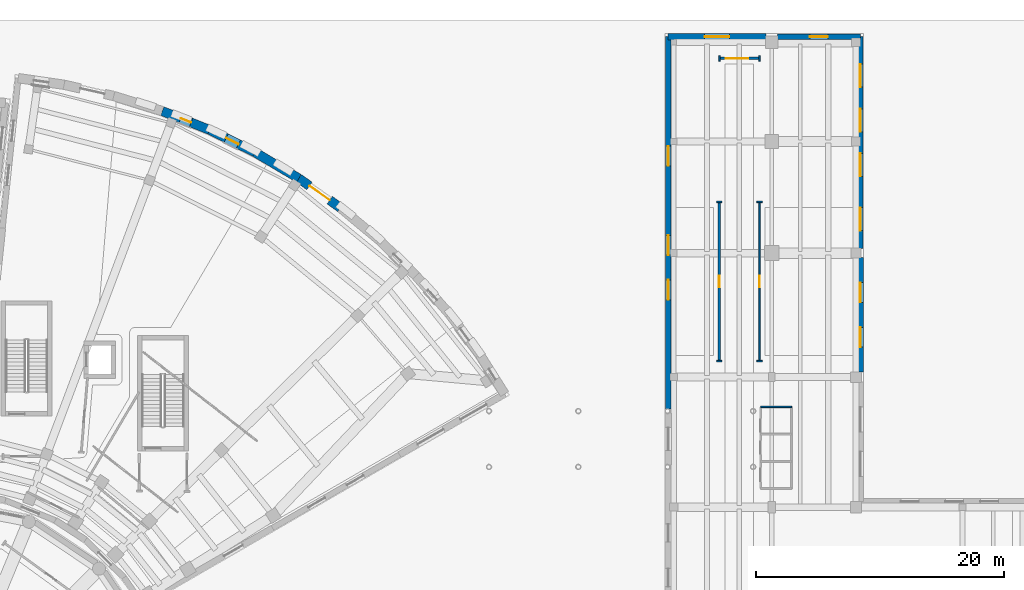
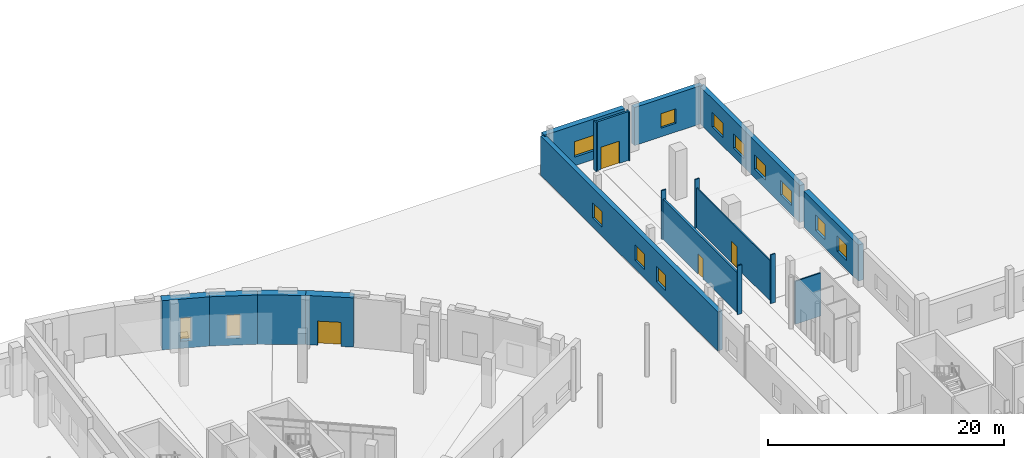
# One storey, part 53 of 74: 19 walls, 13 windows, 4 doors, 17 openings.
"""IFC4 building model written with IfcOpenShell, lengths in metres."""

from ifc_helpers import new_model, si_unit, direction, frame, frame_2d, origin, place, context, subcontext, project, spatial, rectangle, extrude, material, layer, layer_set, type_object, element, fill, save


model = new_model("IFC4")

# Units and contexts
model_context = context("Model", 3, precision=1e-05, world=origin(), true_north=direction((0.0, 1.0)))
body_context = subcontext(model_context, "Body", "Model", "MODEL_VIEW")
ifc_project = project(units=[si_unit("LENGTHUNIT", "METRE"), si_unit("AREAUNIT", "SQUARE_METRE"), si_unit("VOLUMEUNIT", "CUBIC_METRE"), si_unit("PLANEANGLEUNIT", "RADIAN"), si_unit("MASSUNIT", "GRAM", prefix="KILO")], contexts=[model_context])

# Site, building, storey
site_placement = place(None, origin())
site = spatial("IfcSite", under=ifc_project, at=site_placement, CompositionType="ELEMENT")
building_placement = place(site_placement, origin())
building = spatial("IfcBuilding", under=site, at=building_placement, Name="Soyqirgoq Riverine Aquarium", CompositionType="ELEMENT")
storey_placement = place(building_placement, origin())
storey = spatial("IfcBuildingStorey", under=building, at=storey_placement, Name="L01", CompositionType="ELEMENT", Elevation=0.0)

# Wall, opening, door
ifc_material_1 = material(Name="Lightweight steel-stud gypsum partition", Category="steel")
ifc_layer_1 = layer(ifc_material_1, 0.1201171875)
ifc_layer_set_1 = layer_set([ifc_layer_1], Name="Lightweight steel-stud gypsum partition")
wall_type_1 = type_object("IfcWallType", Name="PartitionWall_120_Std", PredefinedType="PARTITIONING", material=ifc_layer_set_1)
wall_1_placement = place(storey_placement, frame((121.6298828125, 98.919921875, 0.0), z_axis=(0.0, 0.0, 1.0), x_axis=(0.0, -1.0, 0.0)))
wall_1 = element("IfcWall", 1, at=wall_1_placement, inside=storey, type_object=wall_type_1, Name="Husbandry Preparation Room Partition Wall", PredefinedType="PARTITIONING", context=body_context, shape_type="SweptSolid", body=[
    extrude(rectangle(XDim=12.83984375, YDim=0.1201171875, at=frame_2d((6.419921875, 0.0))), origin(), (0.0, 0.0, 1.0), 4.139892578125),
])
opening_1_placement = place(wall_1_placement, frame((5.945068359375, 0.0, 0.0)))
opening_1 = element("IfcOpeningElement", 2, at=opening_1_placement, cuts=wall_1, Name="Opening ID-06", PredefinedType="OPENING", context=body_context, shape_type="SweptSolid", body=[
    extrude(rectangle(XDim=0.949951171875, YDim=2.199951171875, at=frame_2d((0.47509765625, 1.10009765625))), frame((0.0, 0.070068359375, 0.0), z_axis=(0.0, -1.0, 0.0), x_axis=(1.0, 0.0, 0.0)), (0.0, 0.0, 1.0), 0.14013671875),
])
ifc_material_2 = material(Name="Moisture-resistant HPL washroom door", Category="wood")
door_type_1 = type_object("IfcDoorType", Name="WCDoor_950x2200", OperationType="NOTDEFINED", PredefinedType="DOOR", material=ifc_material_2)
door_1_placement = place(opening_1_placement, origin())
door_1 = element("IfcDoor", 3, at=door_1_placement, inside=storey, type_object=door_type_1, Name="IDR-V7-L01-0222 Husbandry Preparation Room Access Door", OperationType="SINGLE_SWING_LEFT", OverallHeight=2.199951171875, OverallWidth=0.949951171875, PredefinedType="DOOR", context=body_context, shape_type="SweptSolid", body=[
    extrude(rectangle(XDim=0.949951171875, YDim=2.199951171875, at=frame_2d((0.47509765625, 1.10009765625))), frame((0.0, 0.02490234375, 0.0), z_axis=(0.0, -1.0, 0.0), x_axis=(1.0, 0.0, 0.0)), (0.0, 0.0, 1.0), 0.050048828125),
])
fill(opening_1, door_1)

# Walls
for number, where, z_axis, x_axis, name in (
    (4, (121.60009765625, 110.719970703125, 0.0), (0.0, 0.0, 1.0), (0.0, -1.0, 0.0), "V7 L01 Jamb Return Pier"),
    (5, (118.39990234375, 110.719970703125, 0.0), (0.0, 0.0, 1.0), (0.0, -1.0, 0.0), "V7 L01 Jamb Return Pier"),
):
    element("IfcWall", number, at=place(storey_placement, frame(where, z_axis=z_axis, x_axis=x_axis)), inside=storey, type_object=wall_type_1, Name=name, PredefinedType="PARTITIONING", context=body_context, shape_type="SweptSolid", body=[
        extrude(rectangle(XDim=0.43994140625, YDim=0.1201171875, at=frame_2d((0.219970703125, 0.0))), origin(), (0.0, 0.0, 1.0), 5.050048828125),
    ])
for number, where, z_axis, x_axis, name in (
    (6, (118.590087890625, 86.080078125, 0.0), (0.0, 0.0, 1.0), (-1.0, 0.0, 0.0), "V7 L01 Jamb Return Pier"),
    (7, (118.590087890625, 98.919921875, 0.0), (0.0, 0.0, 1.0), (-1.0, 0.0, 0.0), "V7 L01 Jamb Return Pier"),
    (8, (121.409912109375, 98.919921875, 0.0), (0.0, 0.0, 1.0), (1.0, 0.0, 0.0), "V7 L01 Jamb Return Pier"),
    (9, (121.409912109375, 86.080078125, 0.0), (0.0, 0.0, 1.0), (1.0, 0.0, 0.0), "V7 L01 Jamb Return Pier"),
):
    element("IfcWall", number, at=place(storey_placement, frame(where, z_axis=z_axis, x_axis=x_axis)), inside=storey, type_object=wall_type_1, Name=name, PredefinedType="PARTITIONING", context=body_context, shape_type="SweptSolid", body=[
        extrude(rectangle(XDim=0.440185546875, YDim=0.1201171875, at=frame_2d((0.22021484375, 0.0))), origin(), (0.0, 0.0, 1.0), 5.050048828125),
    ])
ifc_material_3 = material(Name="Moisture-resistant cement-board wet-room partition", Category="gypsum")
ifc_layer_2 = layer(ifc_material_3, 0.125)
ifc_layer_set_2 = layer_set([ifc_layer_2], Name="Moisture-resistant cement-board wet-room partition")
wall_type_2 = type_object("IfcWallType", Name="PartitionWall_125_Wet", PredefinedType="PARTITIONING", material=ifc_layer_set_2)
wall_2_placement = place(storey_placement, frame((121.699951171875, 82.39990234375, 0.0), z_axis=(0.0, 0.0, 1.0), x_axis=(1.0, 0.0, 0.0)))
element("IfcWall", 10, at=wall_2_placement, inside=storey, type_object=wall_type_2, Name="V7 L01 WC Suite North Wall", PredefinedType="PARTITIONING", context=body_context, shape_type="SweptSolid", body=[
    extrude(rectangle(XDim=2.5, YDim=0.125, at=frame_2d((1.25, 0.0))), origin(), (0.0, 0.0, 1.0), 4.449951171875),
])

# Wall, opening, door
ifc_material_4 = material(Name="Fire-rated calcium silicate twin-stud partition", Category="gypsum")
ifc_layer_3 = layer(ifc_material_4, 0.199951171875)
ifc_layer_set_3 = layer_set([ifc_layer_3], Name="Fire-rated calcium silicate twin-stud partition")
wall_type_3 = type_object("IfcWallType", Name="PartitionWall_200_EI90", PredefinedType="PARTITIONING", material=ifc_layer_set_3)
wall_3_placement = place(storey_placement, frame((121.60009765625, 110.5, 0.0), z_axis=(0.0, 0.0, 1.0), x_axis=(-1.0, 0.0, 0.0)))
wall_3 = element("IfcWall", 11, at=wall_3_placement, inside=storey, type_object=wall_type_3, Name="Life Support Service Corridor Partition Wall", PredefinedType="PARTITIONING", context=body_context, shape_type="SweptSolid", body=[
    extrude(rectangle(XDim=3.2001953125, YDim=0.199951171875, at=frame_2d((1.60009765625, 0.0))), origin(), (0.0, 0.0, 1.0), 5.050048828125),
])
opening_2_placement = place(wall_3_placement, frame((0.909912109375, 0.0, 0.0)))
opening_2 = element("IfcOpeningElement", 12, at=opening_2_placement, cuts=wall_3, Name="Opening PD-01", PredefinedType="OPENING", context=body_context, shape_type="SweptSolid", body=[
    extrude(rectangle(XDim=1.800048828125, YDim=2.300048828125, at=frame_2d((0.89990234375, 1.14990234375))), frame((0.0, 0.10986328125, 0.0), z_axis=(0.0, -1.0, 0.0), x_axis=(1.0, 0.0, 0.0)), (0.0, 0.0, 1.0), 0.219970703125),
])
ifc_material_5 = material(Name="Louvred acoustic steel fire door", Category="steel")
door_type_2 = type_object("IfcDoorType", Name="PlantDoubleDoor_1800x2300_EI90", OperationType="DOUBLE_DOOR_SINGLE_SWING", PredefinedType="DOOR", material=ifc_material_5)
door_2_placement = place(opening_2_placement, origin())
door_2 = element("IfcDoor", 13, at=door_2_placement, inside=storey, type_object=door_type_2, Name="IDR-V7-L01-0217 Quarantine Reception Suite Door", OperationType="DOUBLE_DOOR_SINGLE_SWING", OverallHeight=2.300048828125, OverallWidth=1.800048828125, PredefinedType="DOOR", context=body_context, shape_type="SweptSolid", body=[
    extrude(rectangle(XDim=1.800048828125, YDim=2.300048828125, at=frame_2d((0.89990234375, 1.14990234375))), frame((0.0, 0.02490234375, 0.0), z_axis=(0.0, -1.0, 0.0), x_axis=(1.0, 0.0, 0.0)), (0.0, 0.0, 1.0), 0.050048828125),
])
fill(opening_2, door_2)

wall_4_placement = place(storey_placement, frame((118.3701171875, 86.080078125, 0.0), z_axis=(0.0, 0.0, 1.0), x_axis=(0.0, 1.0, 0.0)))
wall_4 = element("IfcWall", 14, at=wall_4_placement, inside=storey, type_object=wall_type_3, Name="Life Support Plant Partition Wall", PredefinedType="PARTITIONING", context=body_context, shape_type="SweptSolid", body=[
    extrude(rectangle(XDim=12.83984375, YDim=0.199951171875, at=frame_2d((6.419921875, 0.0))), origin(), (0.0, 0.0, 1.0), 4.139892578125),
])
opening_3_placement = place(wall_4_placement, frame((5.969970703125, 0.0, 0.0)))
opening_3 = element("IfcOpeningElement", 15, at=opening_3_placement, cuts=wall_4, Name="Opening RD-01", PredefinedType="OPENING", context=body_context, shape_type="SweptSolid", body=[
    extrude(rectangle(XDim=0.89990234375, YDim=2.10009765625, at=frame_2d((0.449951171875, 1.050048828125))), frame((0.0, 0.10986328125, 0.0), z_axis=(0.0, -1.0, 0.0), x_axis=(1.0, 0.0, 0.0)), (0.0, 0.0, 1.0), 0.219970703125),
])
ifc_material_6 = material(Name="Flush steel service riser fire door", Category="steel")
door_type_3 = type_object("IfcDoorType", Name="RiserAccessDoor_900x2100_EI60", OperationType="NOTDEFINED", PredefinedType="DOOR", material=ifc_material_6)
door_3_placement = place(opening_3_placement, origin())
door_3 = element("IfcDoor", 16, at=door_3_placement, inside=storey, type_object=door_type_3, Name="IDR-V7-L01-0221 Life Support Plant Access Door", OperationType="SINGLE_SWING_RIGHT", OverallHeight=2.10009765625, OverallWidth=0.89990234375, PredefinedType="DOOR", context=body_context, shape_type="SweptSolid", body=[
    extrude(rectangle(XDim=0.89990234375, YDim=2.10009765625, at=frame_2d((0.449951171875, 1.050048828125))), frame((0.0, 0.02490234375, 0.0), z_axis=(0.0, -1.0, 0.0), x_axis=(1.0, 0.0, 0.0)), (0.0, 0.0, 1.0), 0.050048828125),
])
fill(opening_3, door_3)

# Wall, openings, windows
ifc_material_7 = material(Name="Honed travertine limestone cavity wall", Category="masonry")
ifc_layer_4 = layer(ifc_material_7, 0.449951171875)
ifc_layer_set_4 = layer_set([ifc_layer_4], Name="Honed travertine limestone cavity wall")
wall_type_4 = type_object("IfcWallType", Name="TravertineCavityWall_450", PredefinedType="SOLIDWALL", material=ifc_layer_set_4)
wall_5_placement = place(storey_placement, frame((114.25, 82.2158203125, 0.0), z_axis=(0.0, 0.0, 1.0), x_axis=(0.0, 1.0, 0.0)))
wall_5 = element("IfcWall", 17, at=wall_5_placement, inside=storey, type_object=wall_type_4, Name="V7 L01 Exterior Travertine Wall 0365", PredefinedType="SOLIDWALL", context=body_context, shape_type="SweptSolid", body=[
    extrude(rectangle(XDim=30.0341796875, YDim=0.449951171875, at=frame_2d((15.01708984375, 0.0))), origin(), (0.0, 0.0, 1.0), 4.0400390625),
])
opening_4_placement = place(wall_5_placement, frame((8.817138671875, 0.0, 0.89990234375)))
opening_4 = element("IfcOpeningElement", 18, at=opening_4_placement, cuts=wall_5, Name="Opening WN-06", PredefinedType="OPENING", context=body_context, shape_type="SweptSolid", body=[
    extrude(rectangle(XDim=1.60009765625, YDim=1.60009765625, at=frame_2d((0.800048828125, 0.800048828125))), frame((0.0, 0.23486328125, 0.0), z_axis=(0.0, -1.0, 0.0), x_axis=(1.0, 0.0, 0.0)), (0.0, 0.0, 1.0), 0.469970703125),
])
opening_5_placement = place(wall_5_placement, frame((12.4169921875, 0.0, 0.89990234375)))
opening_5 = element("IfcOpeningElement", 19, at=opening_5_placement, cuts=wall_5, Name="Opening WN-06", PredefinedType="OPENING", context=body_context, shape_type="SweptSolid", body=[
    extrude(rectangle(XDim=1.60009765625, YDim=1.60009765625, at=frame_2d((0.800048828125, 0.800048828125))), frame((0.0, 0.23486328125, 0.0), z_axis=(0.0, -1.0, 0.0), x_axis=(1.0, 0.0, 0.0)), (0.0, 0.0, 1.0), 0.469970703125),
])
opening_6_placement = place(wall_5_placement, frame((19.6171875, 0.0, 0.89990234375)))
opening_6 = element("IfcOpeningElement", 20, at=opening_6_placement, cuts=wall_5, Name="Opening WN-06", PredefinedType="OPENING", context=body_context, shape_type="SweptSolid", body=[
    extrude(rectangle(XDim=1.60009765625, YDim=1.60009765625, at=frame_2d((0.800048828125, 0.800048828125))), frame((0.0, 0.23486328125, 0.0), z_axis=(0.0, -1.0, 0.0), x_axis=(1.0, 0.0, 0.0)), (0.0, 0.0, 1.0), 0.469970703125),
])
ifc_material_8 = material(Name="Thermally broken aluminium triple low-E window", Category="aluminium")
window_type_1 = type_object("IfcWindowType", Name="Win_Lab_1600x1600", PartitioningType="DOUBLE_PANEL_VERTICAL", PredefinedType="WINDOW", material=ifc_material_8)
window_1_placement = place(opening_4_placement, origin())
window_1 = element("IfcWindow", 21, at=window_1_placement, inside=storey, type_object=window_type_1, Name="V7 L01 Facade Window 0308", OverallHeight=1.60009765625, OverallWidth=1.60009765625, PartitioningType="DOUBLE_PANEL_VERTICAL", PredefinedType="WINDOW", context=body_context, shape_type="SweptSolid", body=[
    extrude(rectangle(XDim=1.60009765625, YDim=1.60009765625, at=frame_2d((0.800048828125, 0.800048828125))), frame((0.0, 0.030029296875, 0.0), z_axis=(0.0, -1.0, 0.0), x_axis=(1.0, 0.0, 0.0)), (0.0, 0.0, 1.0), 0.06005859375),
])
fill(opening_4, window_1)
window_2_placement = place(opening_5_placement, origin())
window_2 = element("IfcWindow", 22, at=window_2_placement, inside=storey, type_object=window_type_1, Name="V7 L01 Facade Window 0309", OverallHeight=1.60009765625, OverallWidth=1.60009765625, PartitioningType="DOUBLE_PANEL_VERTICAL", PredefinedType="WINDOW", context=body_context, shape_type="SweptSolid", body=[
    extrude(rectangle(XDim=1.60009765625, YDim=1.60009765625, at=frame_2d((0.800048828125, 0.800048828125))), frame((0.0, 0.030029296875, 0.0), z_axis=(0.0, -1.0, 0.0), x_axis=(1.0, 0.0, 0.0)), (0.0, 0.0, 1.0), 0.06005859375),
])
fill(opening_5, window_2)
window_3_placement = place(opening_6_placement, origin())
window_3 = element("IfcWindow", 23, at=window_3_placement, inside=storey, type_object=window_type_1, Name="V7 L01 Facade Window 0310", OverallHeight=1.60009765625, OverallWidth=1.60009765625, PartitioningType="DOUBLE_PANEL_VERTICAL", PredefinedType="WINDOW", context=body_context, shape_type="SweptSolid", body=[
    extrude(rectangle(XDim=1.60009765625, YDim=1.60009765625, at=frame_2d((0.800048828125, 0.800048828125))), frame((0.0, 0.030029296875, 0.0), z_axis=(0.0, -1.0, 0.0), x_axis=(1.0, 0.0, 0.0)), (0.0, 0.0, 1.0), 0.06005859375),
])
fill(opening_6, window_3)

# Wall, opening, window
wall_6_placement = place(storey_placement, frame((123.070068359375, 112.25, 0.0), z_axis=(0.0, 0.0, 1.0), x_axis=(1.0, 0.0, 0.0)))
wall_6 = element("IfcWall", 24, at=wall_6_placement, inside=storey, type_object=wall_type_4, Name="V7 L01 Exterior Travertine Wall 0367", PredefinedType="SOLIDWALL", context=body_context, shape_type="SweptSolid", body=[
    extrude(rectangle(XDim=6.679931640625, YDim=0.449951171875, at=frame_2d((3.33984375, 0.0))), origin(), (0.0, 0.0, 1.0), 3.93994140625),
])
opening_7_placement = place(wall_6_placement, frame((2.614990234375, 0.0, 0.89990234375)))
opening_7 = element("IfcOpeningElement", 25, at=opening_7_placement, cuts=wall_6, Name="Opening WN-15", PredefinedType="OPENING", context=body_context, shape_type="SweptSolid", body=[
    extrude(rectangle(XDim=1.449951171875, YDim=1.5, at=frame_2d((0.72509765625, 0.75))), frame((0.0, 0.23486328125, 0.0), z_axis=(0.0, -1.0, 0.0), x_axis=(1.0, 0.0, 0.0)), (0.0, 0.0, 1.0), 0.469970703125),
])
ifc_material_9 = material(Name="Thermally broken aluminium triple low-E window", Category="aluminium")
window_type_2 = type_object("IfcWindowType", Name="Win_Lab_1450x1500", PartitioningType="DOUBLE_PANEL_VERTICAL", PredefinedType="WINDOW", material=ifc_material_9)
window_4_placement = place(opening_7_placement, origin())
window_4 = element("IfcWindow", 26, at=window_4_placement, inside=storey, type_object=window_type_2, Name="V7 L01 Facade Window 0312", OverallHeight=1.5, OverallWidth=1.449951171875, PartitioningType="DOUBLE_PANEL_VERTICAL", PredefinedType="WINDOW", context=body_context, shape_type="SweptSolid", body=[
    extrude(rectangle(XDim=1.449951171875, YDim=1.5, at=frame_2d((0.72509765625, 0.75))), frame((0.0, 0.030029296875, 0.0), z_axis=(0.0, -1.0, 0.0), x_axis=(1.0, 0.0, 0.0)), (0.0, 0.0, 1.0), 0.06005859375),
])
fill(opening_7, window_4)

# Wall, openings, windows
wall_7_placement = place(storey_placement, frame((129.75, 112.25, 0.0), z_axis=(0.0, 0.0, 1.0), x_axis=(0.0, -1.0, 0.0)))
wall_7 = element("IfcWall", 27, at=wall_7_placement, inside=storey, type_object=wall_type_4, Name="V7 L01 Exterior Travertine Wall 0368", PredefinedType="SOLIDWALL", context=body_context, shape_type="SweptSolid", body=[
    extrude(rectangle(XDim=17.080078125, YDim=0.449951171875, at=frame_2d((8.5400390625, 0.0))), origin(), (0.0, 0.0, 1.0), 3.840087890625),
])
opening_8_placement = place(wall_7_placement, frame((2.215087890625, 0.0, 0.89990234375)))
opening_8 = element("IfcOpeningElement", 28, at=opening_8_placement, cuts=wall_7, Name="Opening WN-16", PredefinedType="OPENING", context=body_context, shape_type="SweptSolid", body=[
    extrude(rectangle(XDim=1.85009765625, YDim=1.5, at=frame_2d((0.925048828125, 0.75))), frame((0.0, 0.23486328125, 0.0), z_axis=(0.0, -1.0, 0.0), x_axis=(1.0, 0.0, 0.0)), (0.0, 0.0, 1.0), 0.469970703125),
])
opening_9_placement = place(wall_7_placement, frame((5.81494140625, 0.0, 0.89990234375)))
opening_9 = element("IfcOpeningElement", 29, at=opening_9_placement, cuts=wall_7, Name="Opening WN-16", PredefinedType="OPENING", context=body_context, shape_type="SweptSolid", body=[
    extrude(rectangle(XDim=1.85009765625, YDim=1.5, at=frame_2d((0.925048828125, 0.75))), frame((0.0, 0.23486328125, 0.0), z_axis=(0.0, -1.0, 0.0), x_axis=(1.0, 0.0, 0.0)), (0.0, 0.0, 1.0), 0.469970703125),
])
opening_10_placement = place(wall_7_placement, frame((9.4150390625, 0.0, 0.89990234375)))
opening_10 = element("IfcOpeningElement", 30, at=opening_10_placement, cuts=wall_7, Name="Opening WN-16", PredefinedType="OPENING", context=body_context, shape_type="SweptSolid", body=[
    extrude(rectangle(XDim=1.85009765625, YDim=1.5, at=frame_2d((0.925048828125, 0.75))), frame((0.0, 0.23486328125, 0.0), z_axis=(0.0, -1.0, 0.0), x_axis=(1.0, 0.0, 0.0)), (0.0, 0.0, 1.0), 0.469970703125),
])
opening_11_placement = place(wall_7_placement, frame((13.794921875, 0.0, 0.89990234375)))
opening_11 = element("IfcOpeningElement", 31, at=opening_11_placement, cuts=wall_7, Name="Opening WN-16", PredefinedType="OPENING", context=body_context, shape_type="SweptSolid", body=[
    extrude(rectangle(XDim=1.85009765625, YDim=1.5, at=frame_2d((0.925048828125, 0.75))), frame((0.0, 0.23486328125, 0.0), z_axis=(0.0, -1.0, 0.0), x_axis=(1.0, 0.0, 0.0)), (0.0, 0.0, 1.0), 0.469970703125),
])
ifc_material_10 = material(Name="Thermally broken aluminium triple low-E window", Category="aluminium")
window_type_3 = type_object("IfcWindowType", Name="Win_Lab_1850x1500", PartitioningType="DOUBLE_PANEL_VERTICAL", PredefinedType="WINDOW", material=ifc_material_10)
window_5_placement = place(opening_8_placement, origin())
window_5 = element("IfcWindow", 32, at=window_5_placement, inside=storey, type_object=window_type_3, Name="V7 L01 Facade Window 0313", OverallHeight=1.5, OverallWidth=1.85009765625, PartitioningType="DOUBLE_PANEL_VERTICAL", PredefinedType="WINDOW", context=body_context, shape_type="SweptSolid", body=[
    extrude(rectangle(XDim=1.85009765625, YDim=1.5, at=frame_2d((0.925048828125, 0.75))), frame((0.0, 0.030029296875, 0.0), z_axis=(0.0, -1.0, 0.0), x_axis=(1.0, 0.0, 0.0)), (0.0, 0.0, 1.0), 0.06005859375),
])
fill(opening_8, window_5)
window_6_placement = place(opening_9_placement, origin())
window_6 = element("IfcWindow", 33, at=window_6_placement, inside=storey, type_object=window_type_3, Name="V7 L01 Facade Window 0314", OverallHeight=1.5, OverallWidth=1.85009765625, PartitioningType="DOUBLE_PANEL_VERTICAL", PredefinedType="WINDOW", context=body_context, shape_type="SweptSolid", body=[
    extrude(rectangle(XDim=1.85009765625, YDim=1.5, at=frame_2d((0.925048828125, 0.75))), frame((0.0, 0.030029296875, 0.0), z_axis=(0.0, -1.0, 0.0), x_axis=(1.0, 0.0, 0.0)), (0.0, 0.0, 1.0), 0.06005859375),
])
fill(opening_9, window_6)
window_7_placement = place(opening_10_placement, origin())
window_7 = element("IfcWindow", 34, at=window_7_placement, inside=storey, type_object=window_type_3, Name="V7 L01 Facade Window 0315", OverallHeight=1.5, OverallWidth=1.85009765625, PartitioningType="DOUBLE_PANEL_VERTICAL", PredefinedType="WINDOW", context=body_context, shape_type="SweptSolid", body=[
    extrude(rectangle(XDim=1.85009765625, YDim=1.5, at=frame_2d((0.925048828125, 0.75))), frame((0.0, 0.030029296875, 0.0), z_axis=(0.0, -1.0, 0.0), x_axis=(1.0, 0.0, 0.0)), (0.0, 0.0, 1.0), 0.06005859375),
])
fill(opening_10, window_7)
window_8_placement = place(opening_11_placement, origin())
window_8 = element("IfcWindow", 35, at=window_8_placement, inside=storey, type_object=window_type_3, Name="V7 L01 Facade Window 0316", OverallHeight=1.5, OverallWidth=1.85009765625, PartitioningType="DOUBLE_PANEL_VERTICAL", PredefinedType="WINDOW", context=body_context, shape_type="SweptSolid", body=[
    extrude(rectangle(XDim=1.85009765625, YDim=1.5, at=frame_2d((0.925048828125, 0.75))), frame((0.0, 0.030029296875, 0.0), z_axis=(0.0, -1.0, 0.0), x_axis=(1.0, 0.0, 0.0)), (0.0, 0.0, 1.0), 0.06005859375),
])
fill(opening_11, window_8)

ifc_material_11 = material(Name="Honed travertine limestone cavity wall", Category="masonry")
ifc_layer_5 = layer(ifc_material_11, 0.5)
ifc_layer_set_5 = layer_set([ifc_layer_5], Name="Honed travertine limestone cavity wall")
wall_type_5 = type_object("IfcWallType", Name="TravertineCavityWall_500", PredefinedType="SOLIDWALL", material=ifc_layer_set_5)
wall_8_placement = place(storey_placement, frame((129.75, 94.429931640625, 0.0), z_axis=(0.0, 0.0, 1.0), x_axis=(0.0, -1.0, 0.0)))
wall_8 = element("IfcWall", 36, at=wall_8_placement, inside=storey, type_object=wall_type_5, Name="V7 L01 Exterior Travertine Wall 0369", PredefinedType="SOLIDWALL", context=body_context, shape_type="SweptSolid", body=[
    extrude(rectangle(XDim=9.23486328125, YDim=0.5, at=frame_2d((4.617431640625, 0.0))), origin(), (0.0, 0.0, 1.0), 3.739990234375),
])
opening_12_placement = place(wall_8_placement, frame((2.017578125, 0.0, 0.89990234375)))
opening_12 = element("IfcOpeningElement", 37, at=opening_12_placement, cuts=wall_8, Name="Opening WN-06", PredefinedType="OPENING", context=body_context, shape_type="SweptSolid", body=[
    extrude(rectangle(XDim=1.60009765625, YDim=1.60009765625, at=frame_2d((0.800048828125, 0.800048828125))), frame((0.0, 0.260009765625, 0.0), z_axis=(0.0, -1.0, 0.0), x_axis=(1.0, 0.0, 0.0)), (0.0, 0.0, 1.0), 0.52001953125),
])
opening_13_placement = place(wall_8_placement, frame((5.617431640625, 0.0, 0.89990234375)))
opening_13 = element("IfcOpeningElement", 38, at=opening_13_placement, cuts=wall_8, Name="Opening WN-06", PredefinedType="OPENING", context=body_context, shape_type="SweptSolid", body=[
    extrude(rectangle(XDim=1.60009765625, YDim=1.60009765625, at=frame_2d((0.800048828125, 0.800048828125))), frame((0.0, 0.260009765625, 0.0), z_axis=(0.0, -1.0, 0.0), x_axis=(1.0, 0.0, 0.0)), (0.0, 0.0, 1.0), 0.52001953125),
])
window_9_placement = place(opening_12_placement, origin())
window_9 = element("IfcWindow", 39, at=window_9_placement, inside=storey, type_object=window_type_1, Name="V7 L01 Facade Window 0317", OverallHeight=1.60009765625, OverallWidth=1.60009765625, PartitioningType="DOUBLE_PANEL_VERTICAL", PredefinedType="WINDOW", context=body_context, shape_type="SweptSolid", body=[
    extrude(rectangle(XDim=1.60009765625, YDim=1.60009765625, at=frame_2d((0.800048828125, 0.800048828125))), frame((0.0, 0.030029296875, 0.0), z_axis=(0.0, -1.0, 0.0), x_axis=(1.0, 0.0, 0.0)), (0.0, 0.0, 1.0), 0.06005859375),
])
fill(opening_12, window_9)
window_10_placement = place(opening_13_placement, origin())
window_10 = element("IfcWindow", 40, at=window_10_placement, inside=storey, type_object=window_type_1, Name="V7 L01 Facade Window 0318", OverallHeight=1.60009765625, OverallWidth=1.60009765625, PartitioningType="DOUBLE_PANEL_VERTICAL", PredefinedType="WINDOW", context=body_context, shape_type="SweptSolid", body=[
    extrude(rectangle(XDim=1.60009765625, YDim=1.60009765625, at=frame_2d((0.800048828125, 0.800048828125))), frame((0.0, 0.030029296875, 0.0), z_axis=(0.0, -1.0, 0.0), x_axis=(1.0, 0.0, 0.0)), (0.0, 0.0, 1.0), 0.06005859375),
])
fill(opening_13, window_10)

# Wall, opening, window
ifc_material_12 = material(Name="Honed travertine limestone cavity wall", Category="masonry")
ifc_layer_6 = layer(ifc_material_12, 0.52001953125)
ifc_layer_set_6 = layer_set([ifc_layer_6], Name="Honed travertine limestone cavity wall")
wall_type_6 = type_object("IfcWallType", Name="TravertineCavityWall_520", PredefinedType="SOLIDWALL", material=ifc_layer_set_6)
wall_9_placement = place(storey_placement, frame((114.25, 112.25, 0.0), z_axis=(0.0, 0.0, 1.0), x_axis=(1.0, 0.0, 0.0)))
wall_9 = element("IfcWall", 41, at=wall_9_placement, inside=storey, type_object=wall_type_6, Name="V7 L01 Exterior Travertine Wall 0366", PredefinedType="SOLIDWALL", context=body_context, shape_type="SweptSolid", body=[
    extrude(rectangle(XDim=7.8798828125, YDim=0.52001953125, at=frame_2d((3.93994140625, 0.0))), origin(), (0.0, 0.0, 1.0), 4.18994140625),
])
opening_14_placement = place(wall_9_placement, frame((2.93994140625, 0.0, 0.89990234375)))
opening_14 = element("IfcOpeningElement", 42, at=opening_14_placement, cuts=wall_9, Name="Opening WN-07", PredefinedType="OPENING", context=body_context, shape_type="SweptSolid", body=[
    extrude(rectangle(XDim=2.0, YDim=1.60009765625, at=frame_2d((1.0, 0.800048828125))), frame((0.0, 0.27001953125, 0.0), z_axis=(0.0, -1.0, 0.0), x_axis=(1.0, 0.0, 0.0)), (0.0, 0.0, 1.0), 0.5400390625),
])
ifc_material_13 = material(Name="Thermally broken aluminium triple low-E window", Category="aluminium")
window_type_4 = type_object("IfcWindowType", Name="Win_Lab_2000x1600", PartitioningType="TRIPLE_PANEL_VERTICAL", PredefinedType="WINDOW", material=ifc_material_13)
window_11_placement = place(opening_14_placement, origin())
window_11 = element("IfcWindow", 43, at=window_11_placement, inside=storey, type_object=window_type_4, Name="V7 L01 Facade Window 0311", OverallHeight=1.60009765625, OverallWidth=2.0, PartitioningType="TRIPLE_PANEL_VERTICAL", PredefinedType="WINDOW", context=body_context, shape_type="SweptSolid", body=[
    extrude(rectangle(XDim=2.0, YDim=1.60009765625, at=frame_2d((1.0, 0.800048828125))), frame((0.0, 0.030029296875, 0.0), z_axis=(0.0, -1.0, 0.0), x_axis=(1.0, 0.0, 0.0)), (0.0, 0.0, 1.0), 0.06005859375),
])
fill(opening_14, window_11)

ifc_material_14 = material(Name="Honed travertine limestone cavity wall", Category="masonry")
ifc_layer_7 = layer(ifc_material_14, 0.75)
ifc_layer_set_7 = layer_set([ifc_layer_7], Name="Honed travertine limestone cavity wall")
wall_type_7 = type_object("IfcWallType", Name="TravertineNicheWall_750", PredefinedType="SOLIDWALL", material=ifc_layer_set_7)
wall_10_placement = place(storey_placement, frame((73.44140625, 106.2529296875, 0.0), z_axis=(0.0, 0.0, 1.0), x_axis=(0.928788263231, -0.370610795964, 0.0)))
wall_10 = element("IfcWall", 44, at=wall_10_placement, inside=storey, type_object=wall_type_7, Name="V5 L01 Exterior Travertine Wall 0247", PredefinedType="SOLIDWALL", context=body_context, shape_type="SweptSolid", body=[
    extrude(rectangle(XDim=4.102783203125, YDim=0.75, at=frame_2d((2.05126953125, 0.0))), origin(), (0.0, 0.0, 1.0), 5.10009765625),
])
opening_15_placement = place(wall_10_placement, frame((1.601318359375, 0.0, 0.75)))
opening_15 = element("IfcOpeningElement", 45, at=opening_15_placement, cuts=wall_10, Name="Opening WN-01", PredefinedType="OPENING", context=body_context, shape_type="SweptSolid", body=[
    extrude(rectangle(XDim=0.89990234375, YDim=2.39990234375, at=frame_2d((0.449951171875, 1.199951171875))), frame((0.0, 0.385009765625, 0.0), z_axis=(0.0, -1.0, 0.0), x_axis=(1.0, 0.0, 0.0)), (0.0, 0.0, 1.0), 0.77001953125),
])
ifc_material_15 = material(Name="Thermally broken aluminium triple low-E window", Category="aluminium")
window_type_5 = type_object("IfcWindowType", Name="Win_Niche_900x2400", PartitioningType="SINGLE_PANEL", PredefinedType="WINDOW", material=ifc_material_15)
window_12_placement = place(opening_15_placement, origin())
window_12 = element("IfcWindow", 46, at=window_12_placement, inside=storey, type_object=window_type_5, Name="V5 L01 Facade Window 0188", OverallHeight=2.39990234375, OverallWidth=0.89990234375, PartitioningType="SINGLE_PANEL", PredefinedType="WINDOW", context=body_context, shape_type="SweptSolid", body=[
    extrude(rectangle(XDim=0.89990234375, YDim=2.39990234375, at=frame_2d((0.449951171875, 1.199951171875))), frame((0.0, 0.030029296875, 0.0), z_axis=(0.0, -1.0, 0.0), x_axis=(1.0, 0.0, 0.0)), (0.0, 0.0, 1.0), 0.06005859375),
])
fill(opening_15, window_12)

wall_11_placement = place(storey_placement, frame((77.251953125, 104.732421875, 0.0), z_axis=(0.0, 0.0, 1.0), x_axis=(0.896877337999, -0.442279369385, 0.0)))
wall_11 = element("IfcWall", 47, at=wall_11_placement, inside=storey, type_object=wall_type_7, Name="V5 L01 Exterior Travertine Wall 0248", PredefinedType="SOLIDWALL", context=body_context, shape_type="SweptSolid", body=[
    extrude(rectangle(XDim=4.1025390625, YDim=0.75, at=frame_2d((2.05126953125, 0.0))), origin(), (0.0, 0.0, 1.0), 5.10009765625),
])
opening_16_placement = place(wall_11_placement, frame((1.501220703125, 0.0, 0.75)))
opening_16 = element("IfcOpeningElement", 48, at=opening_16_placement, cuts=wall_11, Name="Opening WN-02", PredefinedType="OPENING", context=body_context, shape_type="SweptSolid", body=[
    extrude(rectangle(XDim=1.10009765625, YDim=2.39990234375, at=frame_2d((0.550048828125, 1.199951171875))), frame((0.0, 0.385009765625, 0.0), z_axis=(0.0, -1.0, 0.0), x_axis=(1.0, 0.0, 0.0)), (0.0, 0.0, 1.0), 0.77001953125),
])
ifc_material_16 = material(Name="Thermally broken aluminium triple low-E window", Category="aluminium")
window_type_6 = type_object("IfcWindowType", Name="Win_Niche_1100x2400", PartitioningType="SINGLE_PANEL", PredefinedType="WINDOW", material=ifc_material_16)
window_13_placement = place(opening_16_placement, origin())
window_13 = element("IfcWindow", 49, at=window_13_placement, inside=storey, type_object=window_type_6, Name="V5 L01 Facade Window 0189", OverallHeight=2.39990234375, OverallWidth=1.10009765625, PartitioningType="SINGLE_PANEL", PredefinedType="WINDOW", context=body_context, shape_type="SweptSolid", body=[
    extrude(rectangle(XDim=1.10009765625, YDim=2.39990234375, at=frame_2d((0.550048828125, 1.199951171875))), frame((0.0, 0.030029296875, 0.0), z_axis=(0.0, -1.0, 0.0), x_axis=(1.0, 0.0, 0.0)), (0.0, 0.0, 1.0), 0.06005859375),
])
fill(opening_16, window_13)

# Wall
wall_12_placement = place(storey_placement, frame((80.931396484375, 102.91796875, 0.0), z_axis=(0.0, 0.0, 1.0), x_axis=(0.859408689216, -0.511289257564, 0.0)))
element("IfcWall", 50, at=wall_12_placement, inside=storey, type_object=wall_type_7, Name="V5 L01 Exterior Travertine Wall 0249", PredefinedType="SOLIDWALL", context=body_context, shape_type="SweptSolid", body=[
    extrude(rectangle(XDim=4.102783203125, YDim=0.75, at=frame_2d((2.05126953125, 0.0))), origin(), (0.0, 0.0, 1.0), 5.10009765625),
])

# Wall, opening, door
wall_13_placement = place(storey_placement, frame((84.457275390625, 100.8203125, 0.0), z_axis=(0.0, 0.0, 1.0), x_axis=(0.816654387976, -0.577127031596, 0.0)))
wall_13 = element("IfcWall", 51, at=wall_13_placement, inside=storey, type_object=wall_type_7, Name="V5 L01 Exterior Travertine Wall 0250", PredefinedType="SOLIDWALL", context=body_context, shape_type="SweptSolid", body=[
    extrude(rectangle(XDim=4.1025390625, YDim=0.75, at=frame_2d((2.05126953125, 0.0))), origin(), (0.0, 0.0, 1.0), 5.10009765625),
])
opening_17_placement = place(wall_13_placement, frame((1.0458984375, 0.0, 0.0)))
opening_17 = element("IfcOpeningElement", 52, at=opening_17_placement, cuts=wall_13, Name="Opening ED-01", PredefinedType="OPENING", context=body_context, shape_type="SweptSolid", body=[
    extrude(rectangle(XDim=2.0, YDim=2.5, at=frame_2d((1.0, 1.25))), frame((0.0, 0.385009765625, 0.0), z_axis=(0.0, -1.0, 0.0), x_axis=(1.0, 0.0, 0.0)), (0.0, 0.0, 1.0), 0.77001953125),
])
ifc_material_17 = material(Name="Anodised aluminium glazed entrance door", Category="aluminium")
door_type_4 = type_object("IfcDoorType", Name="ExitDoubleDoor_2000x2500", OperationType="DOUBLE_DOOR_SINGLE_SWING", PredefinedType="DOOR", material=ifc_material_17)
door_4_placement = place(opening_17_placement, origin())
door_4 = element("IfcDoor", 53, at=door_4_placement, inside=storey, type_object=door_type_4, Name="EDR-EXIT-ST-6-L01 V5 L01 Final Exit Discharge Door ST-6", OperationType="DOUBLE_DOOR_SINGLE_SWING", OverallHeight=2.5, OverallWidth=2.0, PredefinedType="DOOR", context=body_context, shape_type="SweptSolid", body=[
    extrude(rectangle(XDim=2.0, YDim=2.5, at=frame_2d((1.0, 1.25))), frame((0.0, 0.02490234375, 0.0), z_axis=(0.0, -1.0, 0.0), x_axis=(1.0, 0.0, 0.0)), (0.0, 0.0, 1.0), 0.050048828125),
])
fill(opening_17, door_4)

save(model, "model.ifc")
